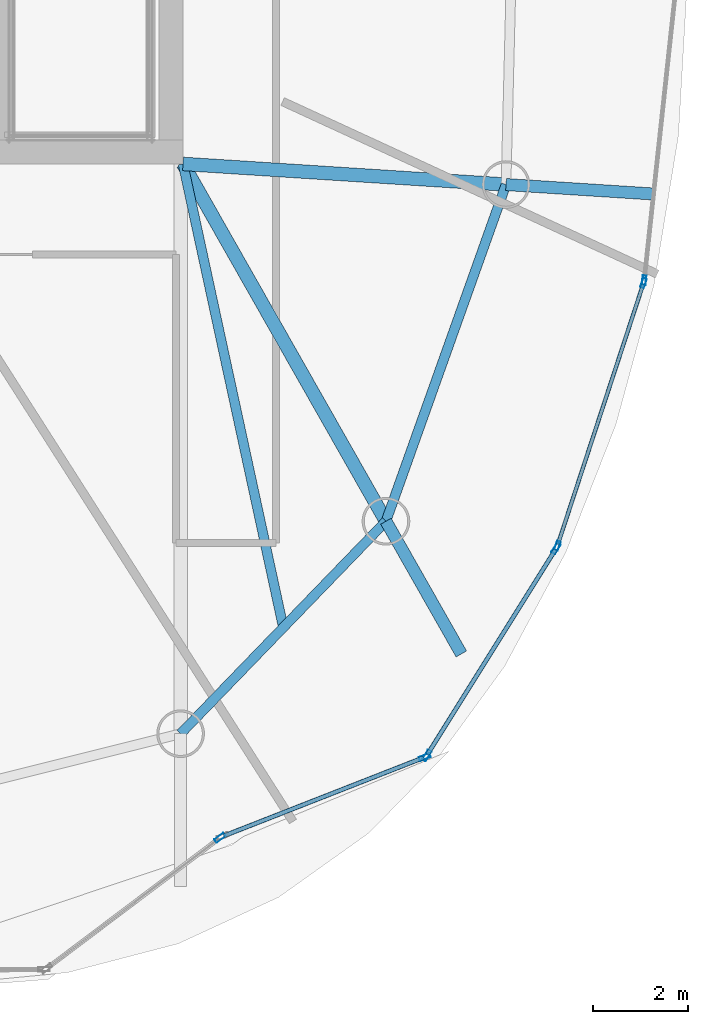
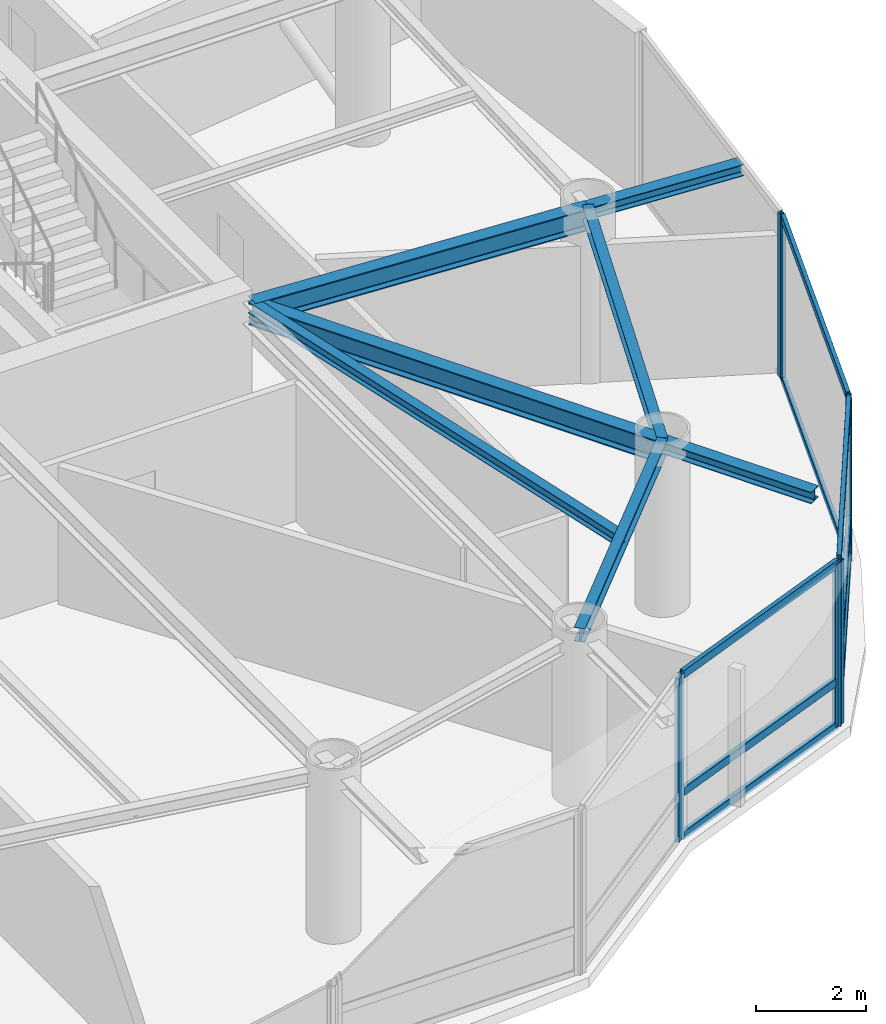
# One storey, part 8 of 20: 15 members, 7 beams, 5 elements without a shape of their own.
"""IFC4 building model written with IfcOpenShell, lengths in metres."""

from ifc_helpers import new_model, si_unit, direction, frame, origin, origin_2d, place, context, subcontext, project, spatial, hollow_rectangle, i_section, extrude, material, layer, layer_set, material_profile, profile_set, type_object, element, aggregate, save


model = new_model("IFC4")

# Units and contexts
model_context = context("Model", 3, precision=1e-05, world=origin(), true_north=direction((0.0, 1.0)))
body_context = subcontext(model_context, "Body", "Model", "MODEL_VIEW")
ifc_project = project(units=[si_unit("LENGTHUNIT", "METRE"), si_unit("AREAUNIT", "SQUARE_METRE"), si_unit("VOLUMEUNIT", "CUBIC_METRE"), si_unit("PLANEANGLEUNIT", "RADIAN"), si_unit("MASSUNIT", "GRAM", prefix="KILO")], contexts=[model_context])

# Site, building, storey
site_placement = place(None, origin())
site = spatial("IfcSite", under=ifc_project, at=site_placement, CompositionType="ELEMENT")
building_placement = place(site_placement, origin())
building = spatial("IfcBuilding", under=site, at=building_placement, Name="Bramvorn Convention Spire", CompositionType="ELEMENT")
storey_placement = place(building_placement, frame((0.0, 0.0, 276.699951171875)))
storey = spatial("IfcBuildingStorey", under=building, at=storey_placement, Name="L70", CompositionType="ELEMENT", Elevation=276.699951171875)

# Beams
ifc_material_1 = material(Name="Steel CSA G40.21 Grade 350 (350W)", Category="steel")
ifc_material_profile_1 = material_profile(ifc_material_1, i_section(OverallWidth=0.201904296875, OverallDepth=0.2470703125, WebThickness=0.00732421875, FlangeThickness=0.010986328125, FilletRadius=0.011962890625, at=origin_2d()))
ifc_profile_set_1 = profile_set([ifc_material_profile_1], Name="Steel CSA G40.21 Grade 350 (350W) - W250X49")
beam_type_1 = type_object("IfcBeamType", Name="BM-W250X49", PredefinedType="JOIST", material=ifc_profile_set_1)
beam_1_placement = place(storey_placement, frame((49.25, 18.550048828125, 3.50146484375), z_axis=(0.211461445939, -0.977386339623, 0.0), x_axis=(0.977386339623, 0.211461445939, 0.0)))
element("IfcBeam", 1, at=beam_1_placement, inside=storey, type_object=beam_type_1, Name="L70 composite floor joist 01", PredefinedType="JOIST", context=body_context, shape_type="SweptSolid", body=[
    extrude(i_section(OverallWidth=0.201904296875, OverallDepth=0.2470703125, WebThickness=0.00732421875, FlangeThickness=0.010986328125, FilletRadius=0.011962890625, at=origin_2d()), origin(), (0.0, 0.0, 1.0), 9.9462890625),
])
ifc_material_profile_2 = material_profile(ifc_material_1, i_section(OverallWidth=0.25390625, OverallDepth=0.2529296875, WebThickness=0.008544921875, FlangeThickness=0.01416015625, FilletRadius=0.011962890625, at=origin_2d()))
ifc_profile_set_2 = profile_set([ifc_material_profile_2], Name="Steel CSA G40.21 Grade 350 (350W) - W250X73")
beam_type_2 = type_object("IfcBeamType", Name="BM-W250X73", PredefinedType="BEAM", material=ifc_profile_set_2)
beam_2_placement = place(storey_placement, frame((53.50634765625, 11.05615234375, 3.49853515625), z_axis=(0.493918961888, -0.869507940785, 0.0), x_axis=(0.869507940785, 0.493918961888, 0.0)))
element("IfcBeam", 2, at=beam_2_placement, inside=storey, type_object=beam_type_2, Name="L70 slab-edge cantilever tip beam MC02", PredefinedType="BEAM", context=body_context, shape_type="SweptSolid", body=[
    extrude(i_section(OverallWidth=0.25390625, OverallDepth=0.2529296875, WebThickness=0.008544921875, FlangeThickness=0.01416015625, FilletRadius=0.011962890625, at=origin_2d()), origin(), (0.0, 0.0, 1.0), 3.199951171875),
])
beam_3_placement = place(storey_placement, frame((56.023681640625, 18.116455078125, 3.49853515625), z_axis=(0.997960760616, -0.063830402408, 0.0), x_axis=(0.063830402408, 0.997960760616, 0.0)))
element("IfcBeam", 3, at=beam_3_placement, inside=storey, type_object=beam_type_2, Name="L70 slab-edge cantilever tip beam MC03", PredefinedType="BEAM", context=body_context, shape_type="SweptSolid", body=[
    extrude(i_section(OverallWidth=0.25390625, OverallDepth=0.2529296875, WebThickness=0.008544921875, FlangeThickness=0.01416015625, FilletRadius=0.011962890625, at=origin_2d()), origin(), (0.0, 0.0, 1.0), 3.09814453125),
])
ifc_material_profile_3 = material_profile(ifc_material_1, i_section(OverallWidth=0.202880859375, OverallDepth=0.302978515625, WebThickness=0.007568359375, FlangeThickness=0.01318359375, FilletRadius=0.013916015625, at=origin_2d()))
ifc_profile_set_3 = profile_set([ifc_material_profile_3], Name="Steel CSA G40.21 Grade 350 (350W) - W310X60")
beam_type_3 = type_object("IfcBeamType", Name="BM-W310X60", PredefinedType="JOIST", material=ifc_profile_set_3)
beam_4_placement = place(storey_placement, frame((49.199951171875, 6.60107421875, 3.4736328125), z_axis=(0.695007159797, 0.719002814898, 0.0), x_axis=(-0.719002814898, 0.695007159797, 0.0)))
element("IfcBeam", 4, at=beam_4_placement, inside=storey, type_object=beam_type_3, Name="L70 mega-column ring beam 01", PredefinedType="JOIST", context=body_context, shape_type="SweptSolid", body=[
    extrude(i_section(OverallWidth=0.202880859375, OverallDepth=0.302978515625, WebThickness=0.007568359375, FlangeThickness=0.01318359375, FilletRadius=0.013916015625, at=origin_2d()), origin(), (0.0, 0.0, 1.0), 6.1962890625),
])
beam_5_placement = place(storey_placement, frame((53.50634765625, 11.05615234375, 3.4736328125), z_axis=(0.335839090413, 0.941919373063, 0.0), x_axis=(-0.941919373063, 0.335839090413, 0.0)))
element("IfcBeam", 5, at=beam_5_placement, inside=storey, type_object=beam_type_3, Name="L70 mega-column ring beam 02", PredefinedType="JOIST", context=body_context, shape_type="SweptSolid", body=[
    extrude(i_section(OverallWidth=0.202880859375, OverallDepth=0.302978515625, WebThickness=0.007568359375, FlangeThickness=0.01318359375, FilletRadius=0.013916015625, at=origin_2d()), origin(), (0.0, 0.0, 1.0), 7.49560546875),
])
ifc_material_profile_4 = material_profile(ifc_material_1, i_section(OverallWidth=0.283935546875, OverallDepth=0.47607421875, WebThickness=0.014892578125, FlangeThickness=0.02392578125, FilletRadius=0.01806640625, at=origin_2d()))
ifc_profile_set_4 = profile_set([ifc_material_profile_4], Name="Steel CSA G40.21 Grade 350 (350W) - W460X158")
beam_type_4 = type_object("IfcBeamType", Name="BM-W460X158", PredefinedType="SPANDREL", material=ifc_profile_set_4)
beam_6_placement = place(storey_placement, frame((49.25, 18.550048828125, 3.386962890625), z_axis=(0.493873612118, -0.869533699895, 0.0), x_axis=(0.869533699895, 0.493873612118, 0.0)))
element("IfcBeam", 6, at=beam_6_placement, inside=storey, type_object=beam_type_4, Name="L70 radial floor girder MC02", PredefinedType="SPANDREL", context=body_context, shape_type="SweptSolid", body=[
    extrude(i_section(OverallWidth=0.283935546875, OverallDepth=0.47607421875, WebThickness=0.014892578125, FlangeThickness=0.02392578125, FilletRadius=0.01806640625, at=origin_2d()), origin(), (0.0, 0.0, 1.0), 8.618408203125),
])
beam_7_placement = place(storey_placement, frame((49.25, 18.550048828125, 3.386962890625), z_axis=(0.997957536354, -0.063880792379, 0.0), x_axis=(0.063880792379, 0.997957536354, 0.0)))
element("IfcBeam", 7, at=beam_7_placement, inside=storey, type_object=beam_type_4, Name="L70 radial floor girder MC03", PredefinedType="SPANDREL", context=body_context, shape_type="SweptSolid", body=[
    extrude(i_section(OverallWidth=0.283935546875, OverallDepth=0.47607421875, WebThickness=0.014892578125, FlangeThickness=0.02392578125, FilletRadius=0.01806640625, at=origin_2d()), origin(), (0.0, 0.0, 1.0), 6.78759765625),
])

# Curtain wall, members
ifc_material_2 = material(Name="Anodised Bronze Unitised Curtain Wall", Category="aluminium")
ifc_layer_1 = layer(ifc_material_2, 0.179931640625)
ifc_layer_set_1 = layer_set([ifc_layer_1], Name="Anodised Bronze Unitised Curtain Wall - CW-OFF-FRIT")
curtain_wall_type_1 = type_object("IfcCurtainWallType", Name="CW-OFF-FRIT", PredefinedType="USERDEFINED", material=ifc_layer_set_1)
curtain_wall_1_placement = place(storey_placement, origin())
curtain_wall_1 = element("IfcCurtainWall", 8, at=curtain_wall_1_placement, inside=storey, type_object=curtain_wall_type_1, Name="L70 fritted glass curtain wall 03", ObjectType="UNITISED CURTAIN WALL", PredefinedType="USERDEFINED")
ifc_material_3 = material(Name="Anodised Bronze Aluminium 6063-T6", Category="aluminium")
ifc_material_profile_5 = material_profile(ifc_material_3, hollow_rectangle(XDim=0.080078125, YDim=0.199951171875, WallThickness=0.00390625, InnerFilletRadius=0.0009765625, OuterFilletRadius=0.00390625, at=origin_2d()))
ifc_profile_set_5 = profile_set([ifc_material_profile_5], Name="Anodised Bronze Aluminium 6063-T6 - CWM80X200")
member_type_1 = type_object("IfcMemberType", Name="CW-MUL-180", PredefinedType="MULLION", material=ifc_profile_set_5)
member_1_placement = place(storey_placement, frame((58.90869140625, 16.052490234375, 0.0), z_axis=(0.0, 0.0, 1.0), x_axis=(0.950211319054, -0.311606240536, 0.0)))
member_1 = element("IfcMember", 9, at=member_1_placement, type_object=member_type_1, Name="CW3 mullion 1", PredefinedType="MULLION", context=body_context, shape_type="SweptSolid", body=[
    extrude(hollow_rectangle(XDim=0.080078125, YDim=0.199951171875, WallThickness=0.00390625, InnerFilletRadius=0.0009765625, OuterFilletRadius=0.00390625, at=origin_2d()), origin(), (0.0, 0.0, 1.0), 3.625),
])
member_2_placement = place(storey_placement, frame((57.1015625, 10.54150390625, 0.0), z_axis=(0.0, 0.0, 1.0), x_axis=(0.950211319054, -0.311606240536, 0.0)))
member_2 = element("IfcMember", 10, at=member_2_placement, type_object=member_type_1, Name="CW3 mullion 2", PredefinedType="MULLION", context=body_context, shape_type="SweptSolid", body=[
    extrude(hollow_rectangle(XDim=0.080078125, YDim=0.199951171875, WallThickness=0.00390625, InnerFilletRadius=0.0009765625, OuterFilletRadius=0.00390625, at=origin_2d()), origin(), (0.0, 0.0, 1.0), 3.625),
])

# Curtain wall, member
curtain_wall_2_placement = place(storey_placement, origin())
curtain_wall_2 = element("IfcCurtainWall", 11, at=curtain_wall_2_placement, inside=storey, type_object=curtain_wall_type_1, Name="L70 fritted glass curtain wall 04", ObjectType="UNITISED CURTAIN WALL", PredefinedType="USERDEFINED")
member_3_placement = place(storey_placement, frame((58.92138671875, 16.11083984375, 0.0), z_axis=(0.0, 0.0, 1.0), x_axis=(0.994190012257, -0.107639302901, 0.0)))
member_3 = element("IfcMember", 12, at=member_3_placement, type_object=member_type_1, Name="CW3 mullion 2", PredefinedType="MULLION", context=body_context, shape_type="SweptSolid", body=[
    extrude(hollow_rectangle(XDim=0.080078125, YDim=0.199951171875, WallThickness=0.00390625, InnerFilletRadius=0.0009765625, OuterFilletRadius=0.00390625, at=origin_2d()), origin(), (0.0, 0.0, 1.0), 3.625),
])
aggregate(curtain_wall_2, [member_3])

ifc_layer_2 = layer(ifc_material_2, 0.219970703125)
ifc_layer_set_2 = layer_set([ifc_layer_2], Name="Anodised Bronze Unitised Curtain Wall - CW-SKYGARDEN")
curtain_wall_type_2 = type_object("IfcCurtainWallType", Name="CW-SKYGARDEN", PredefinedType="USERDEFINED", material=ifc_layer_set_2)
curtain_wall_3_placement = place(storey_placement, origin())
curtain_wall_3 = element("IfcCurtainWall", 13, at=curtain_wall_3_placement, inside=storey, type_object=curtain_wall_type_2, Name="L70 Sky Garden glazed facade 01", ObjectType="WINTER GARDEN GLAZING", PredefinedType="USERDEFINED")
ifc_material_profile_6 = material_profile(ifc_material_3, hollow_rectangle(XDim=0.090087890625, YDim=0.239990234375, WallThickness=0.00439453125, InnerFilletRadius=0.0009765625, OuterFilletRadius=0.00439453125, at=origin_2d()))
ifc_profile_set_6 = profile_set([ifc_material_profile_6], Name="Anodised Bronze Aluminium 6063-T6 - CWM90X240")
member_type_2 = type_object("IfcMemberType", Name="CW-MUL-220", PredefinedType="MULLION", material=ifc_profile_set_6)
member_4_placement = place(storey_placement, frame((54.320068359375, 6.109375, 0.0), z_axis=(0.0, 0.0, 1.0), x_axis=(0.364873191283, -0.931057223957, 0.0)))
member_4 = element("IfcMember", 14, at=member_4_placement, type_object=member_type_2, Name="CW4 mullion 1", PredefinedType="MULLION", context=body_context, shape_type="SweptSolid", body=[
    extrude(hollow_rectangle(XDim=0.090087890625, YDim=0.239990234375, WallThickness=0.00439453125, InnerFilletRadius=0.0009765625, OuterFilletRadius=0.00439453125, at=origin_2d()), origin(), (0.0, 0.0, 1.0), 3.625),
])

# Curtain wall, members
curtain_wall_4_placement = place(storey_placement, origin())
curtain_wall_4 = element("IfcCurtainWall", 15, at=curtain_wall_4_placement, inside=storey, type_object=curtain_wall_type_2, Name="L70 Sky Garden glazed facade 02", ObjectType="WINTER GARDEN GLAZING", PredefinedType="USERDEFINED")
member_5_placement = place(storey_placement, frame((57.076171875, 10.487548828125, 0.0), z_axis=(0.0, 0.0, 1.0), x_axis=(0.848103504995, -0.529830581238, 0.0)))
member_5 = element("IfcMember", 16, at=member_5_placement, type_object=member_type_2, Name="CW4 mullion 1", PredefinedType="MULLION", context=body_context, shape_type="SweptSolid", body=[
    extrude(hollow_rectangle(XDim=0.090087890625, YDim=0.239990234375, WallThickness=0.00439453125, InnerFilletRadius=0.0009765625, OuterFilletRadius=0.00439453125, at=origin_2d()), origin(), (0.0, 0.0, 1.0), 3.625),
])
member_6_placement = place(storey_placement, frame((54.364013671875, 6.145751953125, 0.0), z_axis=(0.0, 0.0, 1.0), x_axis=(0.848103504995, -0.529830581238, 0.0)))
member_6 = element("IfcMember", 17, at=member_6_placement, type_object=member_type_2, Name="CW4 mullion 2", PredefinedType="MULLION", context=body_context, shape_type="SweptSolid", body=[
    extrude(hollow_rectangle(XDim=0.090087890625, YDim=0.239990234375, WallThickness=0.00439453125, InnerFilletRadius=0.0009765625, OuterFilletRadius=0.00439453125, at=origin_2d()), origin(), (0.0, 0.0, 1.0), 3.625),
])

# Curtain wall, member
curtain_wall_5_placement = place(storey_placement, origin())
curtain_wall_5 = element("IfcCurtainWall", 18, at=curtain_wall_5_placement, inside=storey, type_object=curtain_wall_type_2, Name="L70 Sky Garden glazed facade 24", ObjectType="WINTER GARDEN GLAZING", PredefinedType="USERDEFINED")
member_7_placement = place(storey_placement, frame((50.02734375, 4.41845703125, 0.0), z_axis=(0.0, 0.0, 1.0), x_axis=(0.601811781814, -0.79863795256, 0.0)))
member_7 = element("IfcMember", 19, at=member_7_placement, type_object=member_type_2, Name="CW4 mullion 1", PredefinedType="MULLION", context=body_context, shape_type="SweptSolid", body=[
    extrude(hollow_rectangle(XDim=0.090087890625, YDim=0.239990234375, WallThickness=0.00439453125, InnerFilletRadius=0.0009765625, OuterFilletRadius=0.00439453125, at=origin_2d()), origin(), (0.0, 0.0, 1.0), 3.625),
])
aggregate(curtain_wall_5, [member_7])

# Member
ifc_material_profile_7 = material_profile(ifc_material_3, hollow_rectangle(XDim=0.080078125, YDim=0.159912109375, WallThickness=0.00390625, InnerFilletRadius=0.0009765625, OuterFilletRadius=0.00390625, at=origin_2d()))
ifc_profile_set_7 = profile_set([ifc_material_profile_7], Name="Anodised Bronze Aluminium 6063-T6 - CWT80X160")
member_type_3 = type_object("IfcMemberType", Name="CW-TRN-150", PredefinedType="USERDEFINED", material=ifc_profile_set_7)
member_8_placement = place(storey_placement, frame((58.8994140625, 16.024169921875, 0.030029296875), z_axis=(-0.31159222077, -0.950215916492, 0.0), x_axis=(0.950215916492, -0.31159222077, 0.0)))
member_8 = element("IfcMember", 20, at=member_8_placement, type_object=member_type_3, Name="CW3 transom 1.1", ObjectType="TRANSOM", PredefinedType="USERDEFINED", context=body_context, shape_type="SweptSolid", body=[
    extrude(hollow_rectangle(XDim=0.080078125, YDim=0.159912109375, WallThickness=0.00390625, InnerFilletRadius=0.0009765625, OuterFilletRadius=0.00390625, at=origin_2d()), origin(), (0.0, 0.0, 1.0), 5.739990234375),
])

member_9_placement = place(storey_placement, frame((58.8994140625, 16.024169921875, 3.594970703125), z_axis=(-0.31159222077, -0.950215916492, 0.0), x_axis=(0.950215916492, -0.31159222077, 0.0)))
member_9 = element("IfcMember", 21, at=member_9_placement, type_object=member_type_3, Name="CW3 transom 1.2", ObjectType="TRANSOM", PredefinedType="USERDEFINED", context=body_context, shape_type="SweptSolid", body=[
    extrude(hollow_rectangle(XDim=0.080078125, YDim=0.159912109375, WallThickness=0.00390625, InnerFilletRadius=0.0009765625, OuterFilletRadius=0.00390625, at=origin_2d()), origin(), (0.0, 0.0, 1.0), 5.739990234375),
])

aggregate(curtain_wall_1, [member_1, member_2, member_8, member_9])

ifc_material_profile_8 = material_profile(ifc_material_3, hollow_rectangle(XDim=0.090087890625, YDim=0.179931640625, WallThickness=0.00439453125, InnerFilletRadius=0.0009765625, OuterFilletRadius=0.00439453125, at=origin_2d()))
ifc_profile_set_8 = profile_set([ifc_material_profile_8], Name="Anodised Bronze Aluminium 6063-T6 - CWT90X180")
member_type_4 = type_object("IfcMemberType", Name="CW-TRN-180", PredefinedType="USERDEFINED", material=ifc_profile_set_8)
member_10_placement = place(storey_placement, frame((54.292236328125, 6.098388671875, 0.030029296875), z_axis=(-0.931071985194, -0.364835522375, 0.0), x_axis=(0.364835522375, -0.931071985194, 0.0)))
member_10 = element("IfcMember", 22, at=member_10_placement, type_object=member_type_4, Name="CW4 transom 1.1", ObjectType="TRANSOM", PredefinedType="USERDEFINED", context=body_context, shape_type="SweptSolid", body=[
    extrude(hollow_rectangle(XDim=0.090087890625, YDim=0.179931640625, WallThickness=0.00439453125, InnerFilletRadius=0.0009765625, OuterFilletRadius=0.00439453125, at=origin_2d()), origin(), (0.0, 0.0, 1.0), 4.494873046875),
])

member_11_placement = place(storey_placement, frame((54.292236328125, 6.098388671875, 1.0), z_axis=(-0.931071985194, -0.364835522375, 0.0), x_axis=(0.364835522375, -0.931071985194, 0.0)))
member_11 = element("IfcMember", 23, at=member_11_placement, type_object=member_type_4, Name="CW4 transom 1.2", ObjectType="TRANSOM", PredefinedType="USERDEFINED", context=body_context, shape_type="SweptSolid", body=[
    extrude(hollow_rectangle(XDim=0.090087890625, YDim=0.179931640625, WallThickness=0.00439453125, InnerFilletRadius=0.0009765625, OuterFilletRadius=0.00439453125, at=origin_2d()), origin(), (0.0, 0.0, 1.0), 4.494873046875),
])

member_12_placement = place(storey_placement, frame((54.292236328125, 6.098388671875, 3.594970703125), z_axis=(-0.931071985194, -0.364835522375, 0.0), x_axis=(0.364835522375, -0.931071985194, 0.0)))
member_12 = element("IfcMember", 24, at=member_12_placement, type_object=member_type_4, Name="CW4 transom 1.3", ObjectType="TRANSOM", PredefinedType="USERDEFINED", context=body_context, shape_type="SweptSolid", body=[
    extrude(hollow_rectangle(XDim=0.090087890625, YDim=0.179931640625, WallThickness=0.00439453125, InnerFilletRadius=0.0009765625, OuterFilletRadius=0.00439453125, at=origin_2d()), origin(), (0.0, 0.0, 1.0), 4.494873046875),
])

aggregate(curtain_wall_3, [member_4, member_10, member_11, member_12])

member_13_placement = place(storey_placement, frame((57.060302734375, 10.4619140625, 0.030029296875), z_axis=(-0.529834090717, -0.848101312529, 0.0), x_axis=(0.848101312529, -0.529834090717, 0.0)))
member_13 = element("IfcMember", 25, at=member_13_placement, type_object=member_type_4, Name="CW4 transom 1.1", ObjectType="TRANSOM", PredefinedType="USERDEFINED", context=body_context, shape_type="SweptSolid", body=[
    extrude(hollow_rectangle(XDim=0.090087890625, YDim=0.179931640625, WallThickness=0.00439453125, InnerFilletRadius=0.0009765625, OuterFilletRadius=0.00439453125, at=origin_2d()), origin(), (0.0, 0.0, 1.0), 5.05908203125),
])

member_14_placement = place(storey_placement, frame((57.060302734375, 10.4619140625, 1.0), z_axis=(-0.529834090717, -0.848101312529, 0.0), x_axis=(0.848101312529, -0.529834090717, 0.0)))
member_14 = element("IfcMember", 26, at=member_14_placement, type_object=member_type_4, Name="CW4 transom 1.2", ObjectType="TRANSOM", PredefinedType="USERDEFINED", context=body_context, shape_type="SweptSolid", body=[
    extrude(hollow_rectangle(XDim=0.090087890625, YDim=0.179931640625, WallThickness=0.00439453125, InnerFilletRadius=0.0009765625, OuterFilletRadius=0.00439453125, at=origin_2d()), origin(), (0.0, 0.0, 1.0), 5.05908203125),
])

member_15_placement = place(storey_placement, frame((57.060302734375, 10.4619140625, 3.594970703125), z_axis=(-0.529834090717, -0.848101312529, 0.0), x_axis=(0.848101312529, -0.529834090717, 0.0)))
member_15 = element("IfcMember", 27, at=member_15_placement, type_object=member_type_4, Name="CW4 transom 1.3", ObjectType="TRANSOM", PredefinedType="USERDEFINED", context=body_context, shape_type="SweptSolid", body=[
    extrude(hollow_rectangle(XDim=0.090087890625, YDim=0.179931640625, WallThickness=0.00439453125, InnerFilletRadius=0.0009765625, OuterFilletRadius=0.00439453125, at=origin_2d()), origin(), (0.0, 0.0, 1.0), 5.05908203125),
])

aggregate(curtain_wall_4, [member_5, member_6, member_13, member_14, member_15])

save(model, "model.ifc")
